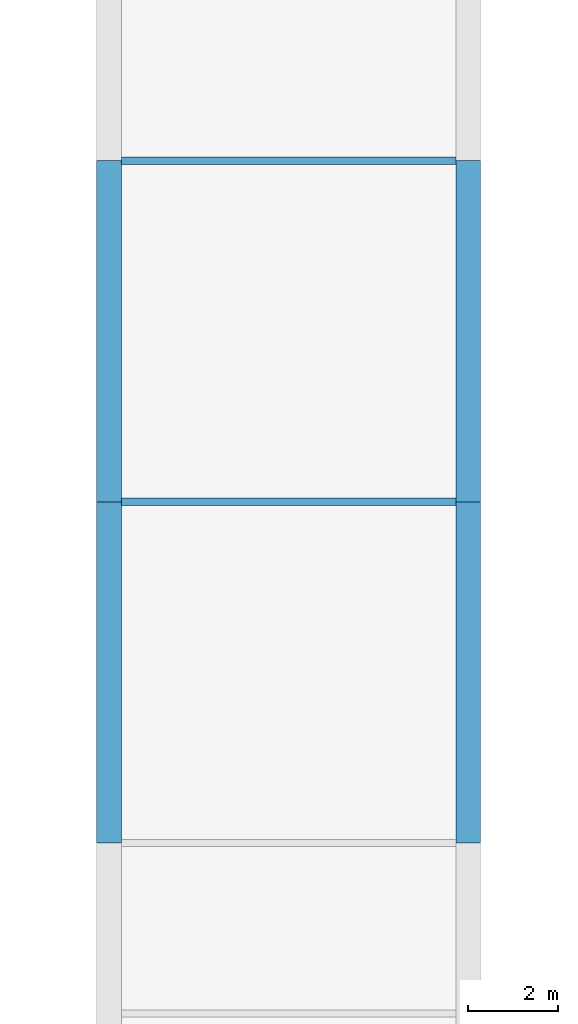
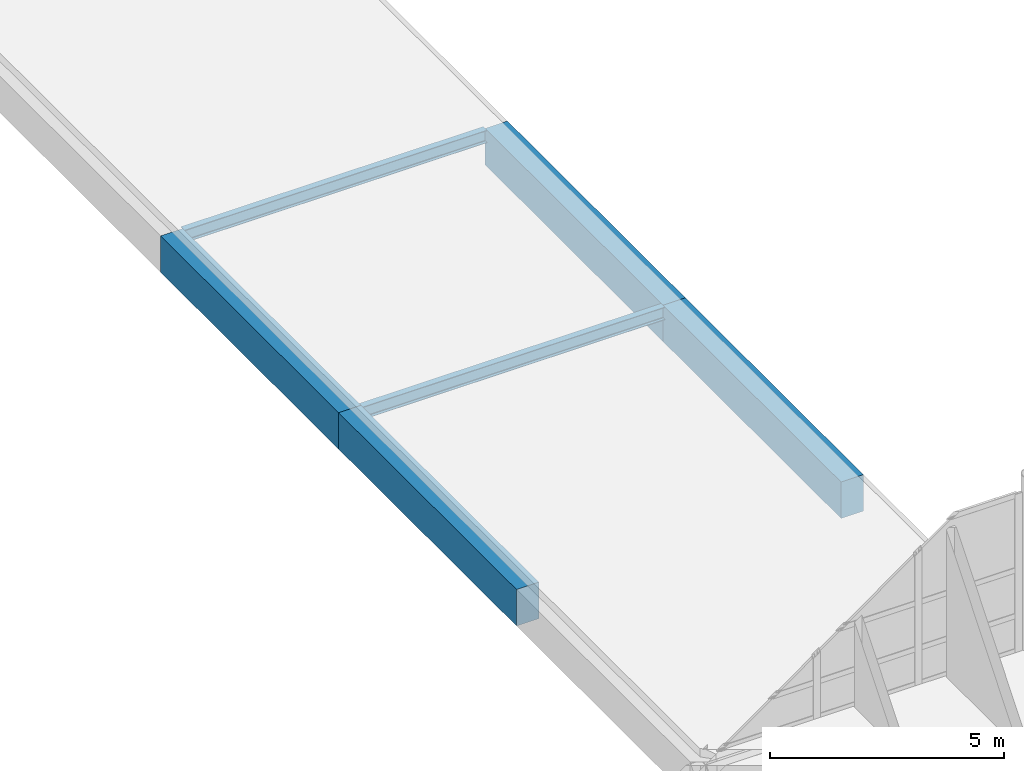
# One storey, part 47 of 107: 6 beams.
"""IFC4 building model written with IfcOpenShell, lengths in metres."""

from ifc_helpers import new_model, si_unit, direction, frame, origin, origin_2d, place, context, subcontext, project, spatial, rectangle, i_section, extrude, material, material_profile, profile_set, type_object, element, save


model = new_model("IFC4")

# Units and contexts
model_context = context("Model", 3, precision=1e-05, world=origin(), true_north=direction((0.0, 1.0)))
body_context = subcontext(model_context, "Body", "Model", "MODEL_VIEW")
ifc_project = project(units=[si_unit("LENGTHUNIT", "METRE"), si_unit("AREAUNIT", "SQUARE_METRE"), si_unit("VOLUMEUNIT", "CUBIC_METRE"), si_unit("PLANEANGLEUNIT", "RADIAN"), si_unit("MASSUNIT", "GRAM", prefix="KILO")], contexts=[model_context])

# Site, building, storey
site_placement = place(None, origin())
site = spatial("IfcSite", under=ifc_project, at=site_placement, CompositionType="ELEMENT")
building_placement = place(site_placement, origin())
building = spatial("IfcBuilding", under=site, at=building_placement, Name="Khelvaren Railside Concert Hall", CompositionType="ELEMENT")
storey_placement = place(building_placement, frame((0.0, 0.0, 15.0)))
storey = spatial("IfcBuildingStorey", under=building, at=storey_placement, Name="L03", CompositionType="ELEMENT", Elevation=15.0)

# Beams
ifc_material_1 = material(Name="Concrete C40/50", Category="concrete")
ifc_material_profile_1 = material_profile(ifc_material_1, rectangle(XDim=0.550048828125, YDim=0.949951171875, at=origin_2d()), Name="RCB 550x950")
ifc_profile_set_1 = profile_set([ifc_material_profile_1], Name="Concrete C40/50")
beam_type_1 = type_object("IfcBeamType", Name="GR75", PredefinedType="T_BEAM", material=ifc_profile_set_1)
beam_1_placement = place(storey_placement, frame((160.0, 45.60009765625, -0.695068359375), z_axis=(0.0, 1.0, 0.0), x_axis=(-1.0, 0.0, 0.0)))
element("IfcBeam", 1, at=beam_1_placement, inside=storey, type_object=beam_type_1, Name="East Backstage Artist Link Bridge L03 Bridge Girder 1.2", PredefinedType="T_BEAM", context=body_context, shape_type="SweptSolid", body=[
    extrude(rectangle(XDim=0.550048828125, YDim=0.949951171875, at=origin_2d()), origin(), (0.0, 0.0, 1.0), 7.599853515625),
])
beam_2_placement = place(storey_placement, frame((160.0, 53.199951171875, -0.695068359375), z_axis=(0.0, 1.0, 0.0), x_axis=(-1.0, 0.0, 0.0)))
element("IfcBeam", 2, at=beam_2_placement, inside=storey, type_object=beam_type_1, Name="East Backstage Artist Link Bridge L03 Bridge Girder 1.3", PredefinedType="T_BEAM", context=body_context, shape_type="SweptSolid", body=[
    extrude(rectangle(XDim=0.550048828125, YDim=0.949951171875, at=origin_2d()), origin(), (0.0, 0.0, 1.0), 7.60009765625),
])
beam_3_placement = place(storey_placement, frame((168.0, 45.60009765625, -0.695068359375), z_axis=(0.0, 1.0, 0.0), x_axis=(-1.0, 0.0, 0.0)))
element("IfcBeam", 3, at=beam_3_placement, inside=storey, type_object=beam_type_1, Name="East Backstage Artist Link Bridge L03 Bridge Girder 2.2", PredefinedType="T_BEAM", context=body_context, shape_type="SweptSolid", body=[
    extrude(rectangle(XDim=0.550048828125, YDim=0.949951171875, at=origin_2d()), origin(), (0.0, 0.0, 1.0), 7.599853515625),
])
beam_4_placement = place(storey_placement, frame((168.0, 53.199951171875, -0.695068359375), z_axis=(0.0, 1.0, 0.0), x_axis=(-1.0, 0.0, 0.0)))
element("IfcBeam", 4, at=beam_4_placement, inside=storey, type_object=beam_type_1, Name="East Backstage Artist Link Bridge L03 Bridge Girder 2.3", PredefinedType="T_BEAM", context=body_context, shape_type="SweptSolid", body=[
    extrude(rectangle(XDim=0.550048828125, YDim=0.949951171875, at=origin_2d()), origin(), (0.0, 0.0, 1.0), 7.60009765625),
])
ifc_material_2 = material(Name="Steel S355", Category="steel")
ifc_material_profile_2 = material_profile(ifc_material_2, i_section(OverallWidth=0.159912109375, OverallDepth=0.330078125, WebThickness=0.007568359375, FlangeThickness=0.011474609375, FilletRadius=0.01806640625, at=origin_2d()), Name="IPE 330")
ifc_profile_set_2 = profile_set([ifc_material_profile_2], Name="Steel S355")
beam_type_2 = type_object("IfcBeamType", Name="JS65", PredefinedType="JOIST", material=ifc_profile_set_2)
for number, where, z_axis, x_axis, name in (
    (5, (160.27490234375, 53.199951171875, -0.385009765625), (1.0, 0.0, 0.0), (0.0, 1.0, 0.0), "East Backstage Artist Link Bridge L03 Bridge Cross Joist 2"),
    (6, (160.27490234375, 60.800048828125, -0.385009765625), (1.0, 0.0, 0.0), (0.0, 1.0, 0.0), "East Backstage Artist Link Bridge L03 Bridge Cross Joist 3"),
):
    element("IfcBeam", number, at=place(storey_placement, frame(where, z_axis=z_axis, x_axis=x_axis)), inside=storey, type_object=beam_type_2, Name=name, PredefinedType="JOIST", context=body_context, shape_type="SweptSolid", body=[
        extrude(i_section(OverallWidth=0.159912109375, OverallDepth=0.330078125, WebThickness=0.007568359375, FlangeThickness=0.011474609375, FilletRadius=0.01806640625, at=origin_2d()), origin(), (0.0, 0.0, 1.0), 7.4501953125),
    ])

save(model, "model.ifc")
